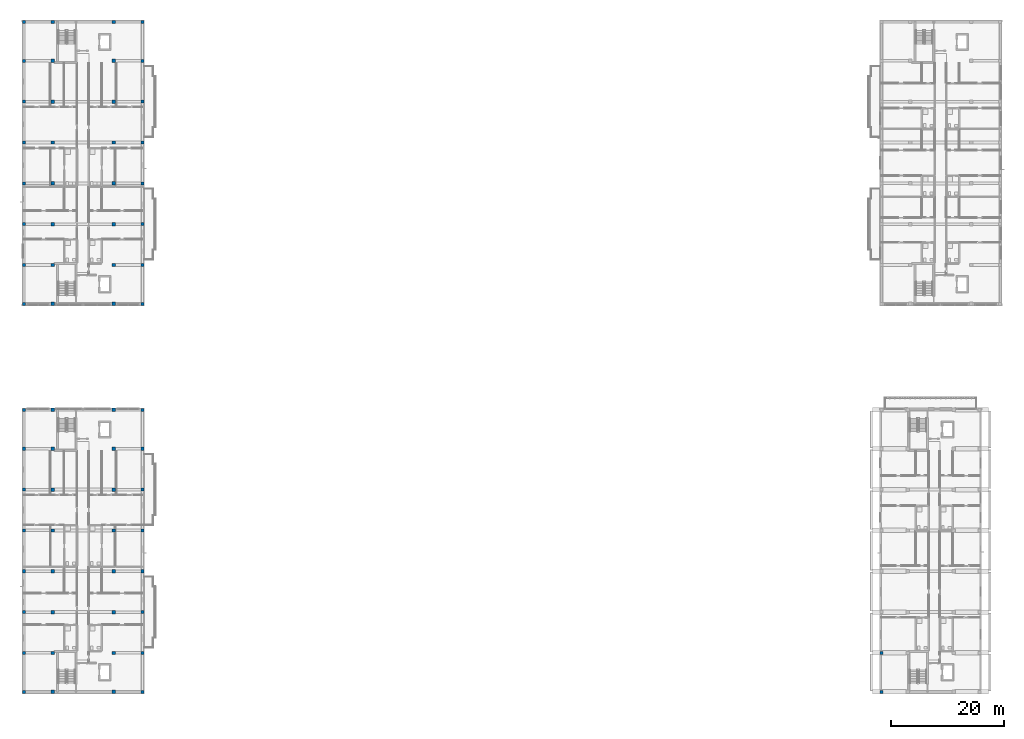
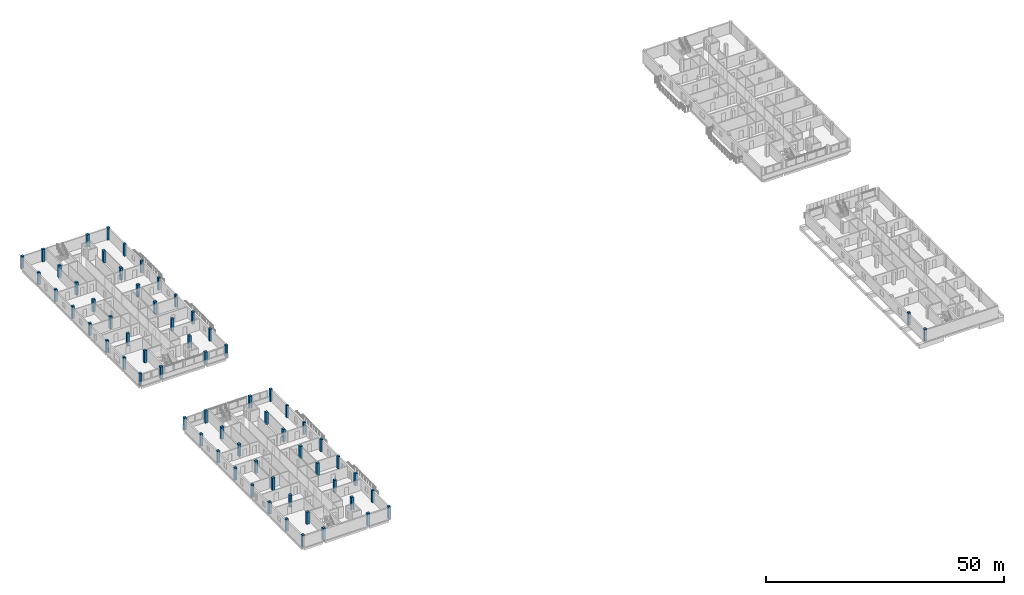
# One storey, part 1 of 41: 66 columns.
"""IFC4 building model written with IfcOpenShell, lengths in metres."""

from ifc_helpers import new_model, si_unit, derived_unit, direction, frame, origin, origin_2d, place, context, subcontext, project, spatial, rectangle, extrude, material, material_profile, profile_set, type_object, element, save


model = new_model("IFC4")

# Units and contexts
model_context = context("Model", 3, precision=1e-05, world=origin(), true_north=direction((0.0, 1.0)))
body_context = subcontext(model_context, "Body", "Model", "MODEL_VIEW")
ifc_project = project(units=[si_unit("LENGTHUNIT", "METRE"), si_unit("AREAUNIT", "SQUARE_METRE"), si_unit("VOLUMEUNIT", "CUBIC_METRE"), si_unit("PLANEANGLEUNIT", "RADIAN"), si_unit("MASSUNIT", "GRAM", prefix="KILO"), derived_unit("THERMALTRANSMITTANCEUNIT", [(si_unit("MASSUNIT", "GRAM", prefix="KILO"), 1), (si_unit("TIMEUNIT", "SECOND"), -3), (si_unit("THERMODYNAMICTEMPERATUREUNIT", "KELVIN"), -1)])], contexts=[model_context])

# Site, building, storey
site_placement = place(None, origin())
site = spatial("IfcSite", under=ifc_project, at=site_placement, CompositionType="ELEMENT")
building_placement = place(site_placement, origin())
building = spatial("IfcBuilding", under=site, at=building_placement, Name="Ochrekiln Boulevard Commons", CompositionType="ELEMENT")
storey_placement = place(building_placement, frame((0.0, 0.0, 21.52490234375)))
storey = spatial("IfcBuildingStorey", under=building, at=storey_placement, Name="L06", CompositionType="ELEMENT", Elevation=21.52490234375)

# Columns
ifc_material_1 = material(Name="Concrete C35/45", Category="concrete")
ifc_material_profile_1 = material_profile(ifc_material_1, rectangle(XDim=0.550048828125, YDim=0.550048828125, at=origin_2d()), Name="RC-COL-550x550")
ifc_profile_set_1 = profile_set([ifc_material_profile_1], Name="Concrete C35/45")
column_type_1 = type_object("IfcColumnType", Name="COL-RC-550", PredefinedType="COLUMN", material=ifc_profile_set_1)
for number, where, z_axis, x_axis, name in (
    (1, (0.35009765625, 68.75, 0.0), (0.0, 0.0, 1.0), (1.0, 0.0, 0.0), "Block A L06 Column C-550 (1)"),
    (2, (0.35009765625, 75.60009765625, 0.0), (0.0, 0.0, 1.0), (1.0, 0.0, 0.0), "Block A L06 Column C-550 (2)"),
    (3, (0.35009765625, 82.800048828125, 0.0), (0.0, 0.0, 1.0), (1.0, 0.0, 0.0), "Block A L06 Column C-550 (3)"),
    (4, (0.35009765625, 90.0, 0.0), (0.0, 0.0, 1.0), (1.0, 0.0, 0.0), "Block A L06 Column C-550 (4)"),
    (5, (0.35009765625, 97.199951171875, 0.0), (0.0, 0.0, 1.0), (1.0, 0.0, 0.0), "Block A L06 Column C-550 (5)"),
    (6, (0.35009765625, 104.39990234375, 0.0), (0.0, 0.0, 1.0), (1.0, 0.0, 0.0), "Block A L06 Column C-550 (6)"),
    (7, (0.35009765625, 111.60009765625, 0.0), (0.0, 0.0, 1.0), (1.0, 0.0, 0.0), "Block A L06 Column C-550 (7)"),
    (8, (0.35009765625, 118.449951171875, 0.0), (0.0, 0.0, 1.0), (1.0, 0.0, 0.0), "Block A L06 Column C-550 (8)"),
    (9, (21.25, 68.75, 0.0), (0.0, 0.0, 1.0), (1.0, 0.0, 0.0), "Block A L06 Column C-550 (25)"),
    (10, (21.25, 75.60009765625, 0.0), (0.0, 0.0, 1.0), (1.0, 0.0, 0.0), "Block A L06 Column C-550 (26)"),
    (11, (21.25, 82.800048828125, 0.0), (0.0, 0.0, 1.0), (1.0, 0.0, 0.0), "Block A L06 Column C-550 (27)"),
    (12, (21.25, 90.0, 0.0), (0.0, 0.0, 1.0), (1.0, 0.0, 0.0), "Block A L06 Column C-550 (28)"),
    (13, (21.25, 97.199951171875, 0.0), (0.0, 0.0, 1.0), (1.0, 0.0, 0.0), "Block A L06 Column C-550 (29)"),
    (14, (21.25, 104.39990234375, 0.0), (0.0, 0.0, 1.0), (1.0, 0.0, 0.0), "Block A L06 Column C-550 (30)"),
    (15, (21.25, 111.60009765625, 0.0), (0.0, 0.0, 1.0), (1.0, 0.0, 0.0), "Block A L06 Column C-550 (31)"),
    (16, (21.25, 118.449951171875, 0.0), (0.0, 0.0, 1.0), (1.0, 0.0, 0.0), "Block A L06 Column C-550 (32)"),
    (17, (151.550048828125, 0.35009765625, 0.0), (0.0, 0.0, 1.0), (1.0, 0.0, 0.0), "Block C L06 Column C-550 (1)"),
    (18, (151.550048828125, 7.199951171875, 0.0), (0.0, 0.0, 1.0), (1.0, 0.0, 0.0), "Block C L06 Column C-550 (2)"),
    (19, (0.35009765625, 0.35009765625, 0.0), (0.0, 0.0, 1.0), (1.0, 0.0, 0.0), "Block D L06 Column C-550 (1)"),
    (20, (0.35009765625, 7.199951171875, 0.0), (0.0, 0.0, 1.0), (1.0, 0.0, 0.0), "Block D L06 Column C-550 (2)"),
    (21, (0.35009765625, 14.39990234375, 0.0), (0.0, 0.0, 1.0), (1.0, 0.0, 0.0), "Block D L06 Column C-550 (3)"),
    (22, (0.35009765625, 21.60009765625, 0.0), (0.0, 0.0, 1.0), (1.0, 0.0, 0.0), "Block D L06 Column C-550 (4)"),
    (23, (0.35009765625, 28.800048828125, 0.0), (0.0, 0.0, 1.0), (1.0, 0.0, 0.0), "Block D L06 Column C-550 (5)"),
    (24, (0.35009765625, 36.0, 0.0), (0.0, 0.0, 1.0), (1.0, 0.0, 0.0), "Block D L06 Column C-550 (6)"),
    (25, (0.35009765625, 43.199951171875, 0.0), (0.0, 0.0, 1.0), (1.0, 0.0, 0.0), "Block D L06 Column C-550 (7)"),
    (26, (0.35009765625, 50.050048828125, 0.0), (0.0, 0.0, 1.0), (1.0, 0.0, 0.0), "Block D L06 Column C-550 (8)"),
    (27, (21.25, 0.35009765625, 0.0), (0.0, 0.0, 1.0), (1.0, 0.0, 0.0), "Block D L06 Column C-550 (25)"),
    (28, (21.25, 7.199951171875, 0.0), (0.0, 0.0, 1.0), (1.0, 0.0, 0.0), "Block D L06 Column C-550 (26)"),
    (29, (21.25, 14.39990234375, 0.0), (0.0, 0.0, 1.0), (1.0, 0.0, 0.0), "Block D L06 Column C-550 (27)"),
    (30, (21.25, 21.60009765625, 0.0), (0.0, 0.0, 1.0), (1.0, 0.0, 0.0), "Block D L06 Column C-550 (28)"),
    (31, (21.25, 28.800048828125, 0.0), (0.0, 0.0, 1.0), (1.0, 0.0, 0.0), "Block D L06 Column C-550 (29)"),
    (32, (21.25, 36.0, 0.0), (0.0, 0.0, 1.0), (1.0, 0.0, 0.0), "Block D L06 Column C-550 (30)"),
    (33, (21.25, 43.199951171875, 0.0), (0.0, 0.0, 1.0), (1.0, 0.0, 0.0), "Block D L06 Column C-550 (31)"),
    (34, (21.25, 50.050048828125, 0.0), (0.0, 0.0, 1.0), (1.0, 0.0, 0.0), "Block D L06 Column C-550 (32)"),
):
    element("IfcColumn", number, at=place(storey_placement, frame(where, z_axis=z_axis, x_axis=x_axis)), inside=storey, type_object=column_type_1, Name=name, PredefinedType="COLUMN", context=body_context, shape_type="SweptSolid", body=[
        extrude(rectangle(XDim=0.550048828125, YDim=0.550048828125, at=origin_2d()), origin(), (0.0, 0.0, 1.0), 3.150146484375),
    ])
ifc_material_2 = material(Name="Concrete C40/50", Category="concrete")
ifc_material_profile_2 = material_profile(ifc_material_2, rectangle(XDim=0.60009765625, YDim=0.60009765625, at=origin_2d()), Name="RC-COL-600x600")
ifc_profile_set_2 = profile_set([ifc_material_profile_2], Name="Concrete C40/50")
column_type_2 = type_object("IfcColumnType", Name="COL-RC-600", PredefinedType="COLUMN", material=ifc_profile_set_2)
for number, where, z_axis, x_axis, name in (
    (35, (5.39990234375, 68.75, 0.0), (0.0, 0.0, 1.0), (1.0, 0.0, 0.0), "Block A L06 Column C-600 (9)"),
    (36, (5.39990234375, 75.60009765625, 0.0), (0.0, 0.0, 1.0), (1.0, 0.0, 0.0), "Block A L06 Column C-600 (10)"),
    (37, (5.39990234375, 82.800048828125, 0.0), (0.0, 0.0, 1.0), (1.0, 0.0, 0.0), "Block A L06 Column C-600 (11)"),
    (38, (5.39990234375, 90.0, 0.0), (0.0, 0.0, 1.0), (1.0, 0.0, 0.0), "Block A L06 Column C-600 (12)"),
    (39, (5.39990234375, 97.199951171875, 0.0), (0.0, 0.0, 1.0), (1.0, 0.0, 0.0), "Block A L06 Column C-600 (13)"),
    (40, (5.39990234375, 104.39990234375, 0.0), (0.0, 0.0, 1.0), (1.0, 0.0, 0.0), "Block A L06 Column C-600 (14)"),
    (41, (5.39990234375, 111.60009765625, 0.0), (0.0, 0.0, 1.0), (1.0, 0.0, 0.0), "Block A L06 Column C-600 (15)"),
    (42, (5.39990234375, 118.449951171875, 0.0), (0.0, 0.0, 1.0), (1.0, 0.0, 0.0), "Block A L06 Column C-600 (16)"),
    (43, (16.199951171875, 68.75, 0.0), (0.0, 0.0, 1.0), (1.0, 0.0, 0.0), "Block A L06 Column C-600 (17)"),
    (44, (16.199951171875, 75.60009765625, 0.0), (0.0, 0.0, 1.0), (1.0, 0.0, 0.0), "Block A L06 Column C-600 (18)"),
    (45, (16.199951171875, 82.800048828125, 0.0), (0.0, 0.0, 1.0), (1.0, 0.0, 0.0), "Block A L06 Column C-600 (19)"),
    (46, (16.199951171875, 90.0, 0.0), (0.0, 0.0, 1.0), (1.0, 0.0, 0.0), "Block A L06 Column C-600 (20)"),
    (47, (16.199951171875, 97.199951171875, 0.0), (0.0, 0.0, 1.0), (1.0, 0.0, 0.0), "Block A L06 Column C-600 (21)"),
    (48, (16.199951171875, 104.39990234375, 0.0), (0.0, 0.0, 1.0), (1.0, 0.0, 0.0), "Block A L06 Column C-600 (22)"),
    (49, (16.199951171875, 111.60009765625, 0.0), (0.0, 0.0, 1.0), (1.0, 0.0, 0.0), "Block A L06 Column C-600 (23)"),
    (50, (16.199951171875, 118.449951171875, 0.0), (0.0, 0.0, 1.0), (1.0, 0.0, 0.0), "Block A L06 Column C-600 (24)"),
    (51, (5.39990234375, 0.35009765625, 0.0), (0.0, 0.0, 1.0), (1.0, 0.0, 0.0), "Block D L06 Column C-600 (9)"),
    (52, (5.39990234375, 7.199951171875, 0.0), (0.0, 0.0, 1.0), (1.0, 0.0, 0.0), "Block D L06 Column C-600 (10)"),
    (53, (5.39990234375, 14.39990234375, 0.0), (0.0, 0.0, 1.0), (1.0, 0.0, 0.0), "Block D L06 Column C-600 (11)"),
    (54, (5.39990234375, 21.60009765625, 0.0), (0.0, 0.0, 1.0), (1.0, 0.0, 0.0), "Block D L06 Column C-600 (12)"),
    (55, (5.39990234375, 28.800048828125, 0.0), (0.0, 0.0, 1.0), (1.0, 0.0, 0.0), "Block D L06 Column C-600 (13)"),
    (56, (5.39990234375, 36.0, 0.0), (0.0, 0.0, 1.0), (1.0, 0.0, 0.0), "Block D L06 Column C-600 (14)"),
    (57, (5.39990234375, 43.199951171875, 0.0), (0.0, 0.0, 1.0), (1.0, 0.0, 0.0), "Block D L06 Column C-600 (15)"),
    (58, (5.39990234375, 50.050048828125, 0.0), (0.0, 0.0, 1.0), (1.0, 0.0, 0.0), "Block D L06 Column C-600 (16)"),
    (59, (16.199951171875, 0.35009765625, 0.0), (0.0, 0.0, 1.0), (1.0, 0.0, 0.0), "Block D L06 Column C-600 (17)"),
    (60, (16.199951171875, 7.199951171875, 0.0), (0.0, 0.0, 1.0), (1.0, 0.0, 0.0), "Block D L06 Column C-600 (18)"),
    (61, (16.199951171875, 14.39990234375, 0.0), (0.0, 0.0, 1.0), (1.0, 0.0, 0.0), "Block D L06 Column C-600 (19)"),
    (62, (16.199951171875, 21.60009765625, 0.0), (0.0, 0.0, 1.0), (1.0, 0.0, 0.0), "Block D L06 Column C-600 (20)"),
    (63, (16.199951171875, 28.800048828125, 0.0), (0.0, 0.0, 1.0), (1.0, 0.0, 0.0), "Block D L06 Column C-600 (21)"),
    (64, (16.199951171875, 36.0, 0.0), (0.0, 0.0, 1.0), (1.0, 0.0, 0.0), "Block D L06 Column C-600 (22)"),
    (65, (16.199951171875, 43.199951171875, 0.0), (0.0, 0.0, 1.0), (1.0, 0.0, 0.0), "Block D L06 Column C-600 (23)"),
    (66, (16.199951171875, 50.050048828125, 0.0), (0.0, 0.0, 1.0), (1.0, 0.0, 0.0), "Block D L06 Column C-600 (24)"),
):
    element("IfcColumn", number, at=place(storey_placement, frame(where, z_axis=z_axis, x_axis=x_axis)), inside=storey, type_object=column_type_2, Name=name, PredefinedType="COLUMN", context=body_context, shape_type="SweptSolid", body=[
        extrude(rectangle(XDim=0.60009765625, YDim=0.60009765625, at=origin_2d()), origin(), (0.0, 0.0, 1.0), 3.150146484375),
    ])

save(model, "model.ifc")
